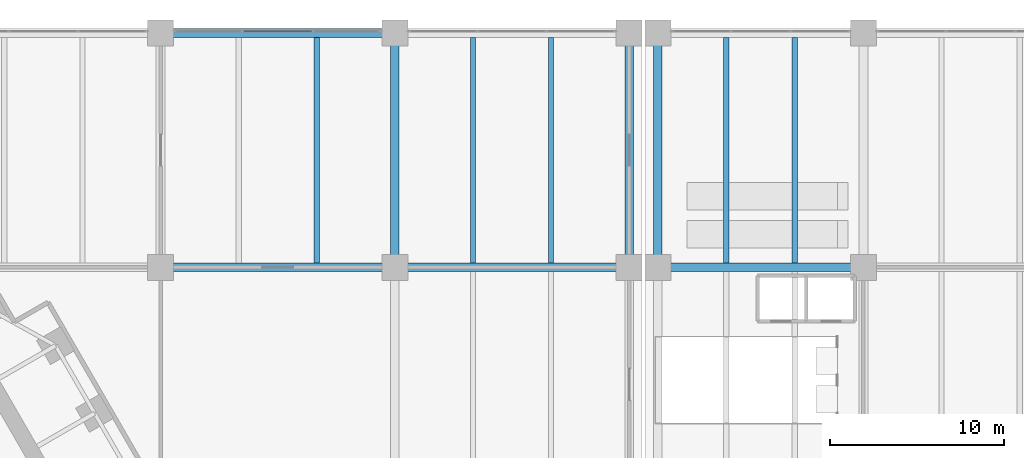
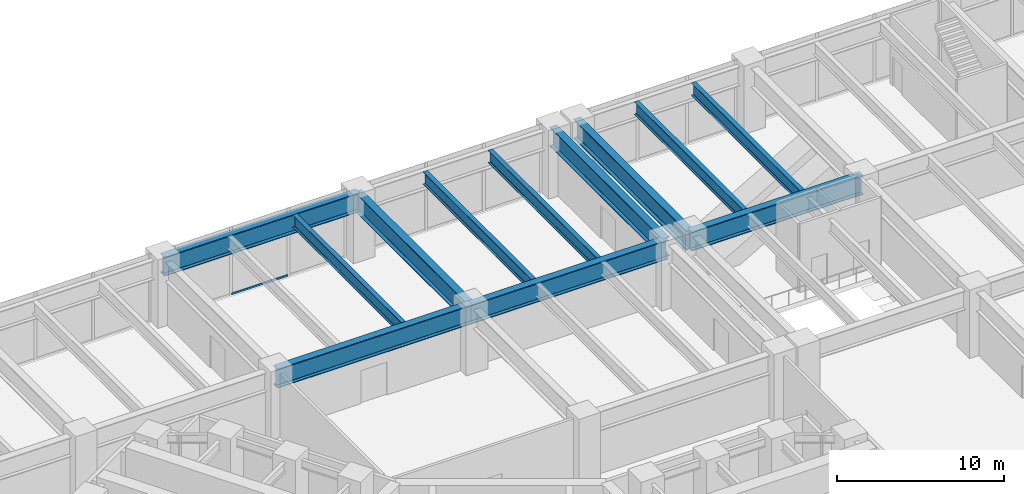
# One storey, part 14 of 32: 12 beams, 1 member, 1 element without a shape of its own.
"""IFC4 building model written with IfcOpenShell, lengths in metres."""

from ifc_helpers import new_model, si_unit, direction, frame, origin, origin_2d, place, context, subcontext, project, spatial, rectangle, i_section, extrude, material, material_profile, profile_set, type_object, element, aggregate, save


model = new_model("IFC4")

# Units and contexts
model_context = context("Model", 3, precision=1e-05, world=origin(), true_north=direction((0.0, 1.0)))
body_context = subcontext(model_context, "Body", "Model", "MODEL_VIEW")
ifc_project = project(units=[si_unit("LENGTHUNIT", "METRE"), si_unit("AREAUNIT", "SQUARE_METRE"), si_unit("VOLUMEUNIT", "CUBIC_METRE"), si_unit("PLANEANGLEUNIT", "RADIAN"), si_unit("MASSUNIT", "GRAM", prefix="KILO")], contexts=[model_context])

# Site, building, storey
site_placement = place(None, origin())
site = spatial("IfcSite", under=ifc_project, at=site_placement, CompositionType="ELEMENT")
building_placement = place(site_placement, origin())
building = spatial("IfcBuilding", under=site, at=building_placement, Name="Upepo Twin Towers", CompositionType="ELEMENT")
storey_placement = place(building_placement, frame((0.0, 0.0, 5.5)))
storey = spatial("IfcBuildingStorey", under=building, at=storey_placement, Name="L01", CompositionType="ELEMENT", Elevation=5.5)

# Beams
ifc_material_1 = material(Name="Steel S355", Category="steel")
ifc_material_profile_1 = material_profile(ifc_material_1, i_section(OverallWidth=0.5, OverallDepth=1.39990234375, WebThickness=0.02490234375, FlangeThickness=0.050048828125, FilletRadius=0.008056640625, at=origin_2d()), Name="PG 1400x500x25x50")
ifc_profile_set_1 = profile_set([ifc_material_profile_1], Name="Steel S355")
beam_type_1 = type_object("IfcBeamType", Name="Beam PG 1400x500x25x50", PredefinedType="BEAM", material=ifc_profile_set_1)
for number, where, z_axis, x_axis, name in (
    (1, (0.0, 27.0, 3.949951171875), (1.0, 0.0, 0.0), (0.0, 1.0, 0.0), "Podium girder F/3-4"),
    (2, (13.5, 27.0, 3.949951171875), (1.0, 0.0, 0.0), (0.0, 1.0, 0.0), "Podium girder F/4-5"),
):
    element("IfcBeam", number, at=place(storey_placement, frame(where, z_axis=z_axis, x_axis=x_axis)), inside=storey, type_object=beam_type_1, Name=name, PredefinedType="BEAM", context=body_context, shape_type="SweptSolid", body=[
        extrude(i_section(OverallWidth=0.5, OverallDepth=1.39990234375, WebThickness=0.02490234375, FlangeThickness=0.050048828125, FilletRadius=0.008056640625, at=origin_2d()), origin(), (0.0, 0.0, 1.0), 13.5),
    ])
beam_placement = place(storey_placement, frame((28.64990234375, 27.0, 3.949951171875), z_axis=(1.0, 0.0, 0.0), x_axis=(0.0, 1.0, 0.0)))
element("IfcBeam", 3, at=beam_placement, inside=storey, type_object=beam_type_1, Name="Podium girder F/5a-6", PredefinedType="BEAM", context=body_context, shape_type="SweptSolid", body=[
    extrude(i_section(OverallWidth=0.5, OverallDepth=1.39990234375, WebThickness=0.02490234375, FlangeThickness=0.050048828125, FilletRadius=0.008056640625, at=origin_2d()), origin(), (0.0, 0.0, 1.0), 11.85009765625),
])
for number, where, z_axis, x_axis, name in (
    (4, (0.0, 40.5, 3.949951171875), (1.0, 0.0, 0.0), (0.0, 1.0, 0.0), "Podium girder G/3-4"),
    (5, (13.5, 27.0, 3.949951171875), (0.0, 1.0, 0.0), (-1.0, 0.0, 0.0), "Podium girder 4/F-G"),
    (6, (27.0, 27.0, 3.949951171875), (0.0, 1.0, 0.0), (-1.0, 0.0, 0.0), "Podium girder 5/F-G"),
    (7, (28.64990234375, 27.0, 3.949951171875), (0.0, 1.0, 0.0), (-1.0, 0.0, 0.0), "Podium girder 5a/F-G"),
):
    element("IfcBeam", number, at=place(storey_placement, frame(where, z_axis=z_axis, x_axis=x_axis)), inside=storey, type_object=beam_type_1, Name=name, PredefinedType="BEAM", context=body_context, shape_type="SweptSolid", body=[
        extrude(i_section(OverallWidth=0.5, OverallDepth=1.39990234375, WebThickness=0.02490234375, FlangeThickness=0.050048828125, FilletRadius=0.008056640625, at=origin_2d()), origin(), (0.0, 0.0, 1.0), 13.5),
    ])
ifc_material_2 = material(Name="Steel S355", Category="steel")
ifc_material_profile_2 = material_profile(ifc_material_2, i_section(OverallWidth=0.305419921875, OverallDepth=0.91845703125, WebThickness=0.017333984375, FlangeThickness=0.02783203125, FilletRadius=0.01904296875, at=origin_2d()), Name="UB 914x305x253")
ifc_profile_set_2 = profile_set([ifc_material_profile_2], Name="Steel S355")
beam_type_2 = type_object("IfcBeamType", Name="Secondary beam UB 914x305x253", PredefinedType="JOIST", material=ifc_profile_set_2)
for number, where, z_axis, x_axis, name in (
    (8, (9.0, 27.25, 4.19091796875), (0.0, 1.0, 0.0), (-1.0, 0.0, 0.0), "Podium secondary beam F3.2"),
    (9, (18.0, 27.25, 4.19091796875), (0.0, 1.0, 0.0), (-1.0, 0.0, 0.0), "Podium secondary beam F4.1"),
    (10, (22.5, 27.25, 4.19091796875), (0.0, 1.0, 0.0), (-1.0, 0.0, 0.0), "Podium secondary beam F4.2"),
    (11, (32.60009765625, 27.25, 4.19091796875), (0.0, 1.0, 0.0), (-1.0, 0.0, 0.0), "Podium secondary beam F5a.1"),
    (12, (36.550048828125, 27.25, 4.19091796875), (0.0, 1.0, 0.0), (-1.0, 0.0, 0.0), "Podium secondary beam F5a.2"),
):
    element("IfcBeam", number, at=place(storey_placement, frame(where, z_axis=z_axis, x_axis=x_axis)), inside=storey, type_object=beam_type_2, Name=name, PredefinedType="JOIST", context=body_context, shape_type="SweptSolid", body=[
        extrude(i_section(OverallWidth=0.305419921875, OverallDepth=0.91845703125, WebThickness=0.017333984375, FlangeThickness=0.02783203125, FilletRadius=0.01904296875, at=origin_2d()), origin(), (0.0, 0.0, 1.0), 13.0),
    ])

# Curtain wall, member
ifc_material_3 = material(Name="Aluminium and clear glass", Category="aluminium")
curtain_wall_type = type_object("IfcCurtainWallType", Name="Podium curtain wall PW1", PredefinedType="NOTDEFINED", material=ifc_material_3)
curtain_wall_placement = place(storey_placement, origin())
curtain_wall = element("IfcCurtainWall", 13, at=curtain_wall_placement, inside=storey, type_object=curtain_wall_type, Name="Podium L01 curtain wall N7", PredefinedType="NOTDEFINED")
ifc_material_4 = material(Name="Aluminium transom", Category="aluminium")
ifc_material_profile_3 = material_profile(ifc_material_4, rectangle(XDim=0.06494140625, YDim=0.14990234375, at=origin_2d()), Name="TRANSOM 65x150 PODIUM")
ifc_profile_set_3 = profile_set([ifc_material_profile_3], Name="Aluminium transom")
member_type = type_object("IfcMemberType", Name="Transom 65x150 PW1", PredefinedType="USERDEFINED", material=ifc_profile_set_3)
member_placement = place(storey_placement, frame((8.705810546875, 40.60009765625, 0.074951171875), z_axis=(-1.0, 0.0, 0.0), x_axis=(0.0, -1.0, 0.0)))
member = element("IfcMember", 14, at=member_placement, type_object=member_type, Name="Podium L01 curtain wall N7 transom 2", ObjectType="TRANSOM", PredefinedType="USERDEFINED", context=body_context, shape_type="SweptSolid", body=[
    extrude(rectangle(XDim=0.06494140625, YDim=0.14990234375, at=origin_2d()), origin(), (0.0, 0.0, 1.0), 3.91162109375),
])
aggregate(curtain_wall, [member])

save(model, "model.ifc")
